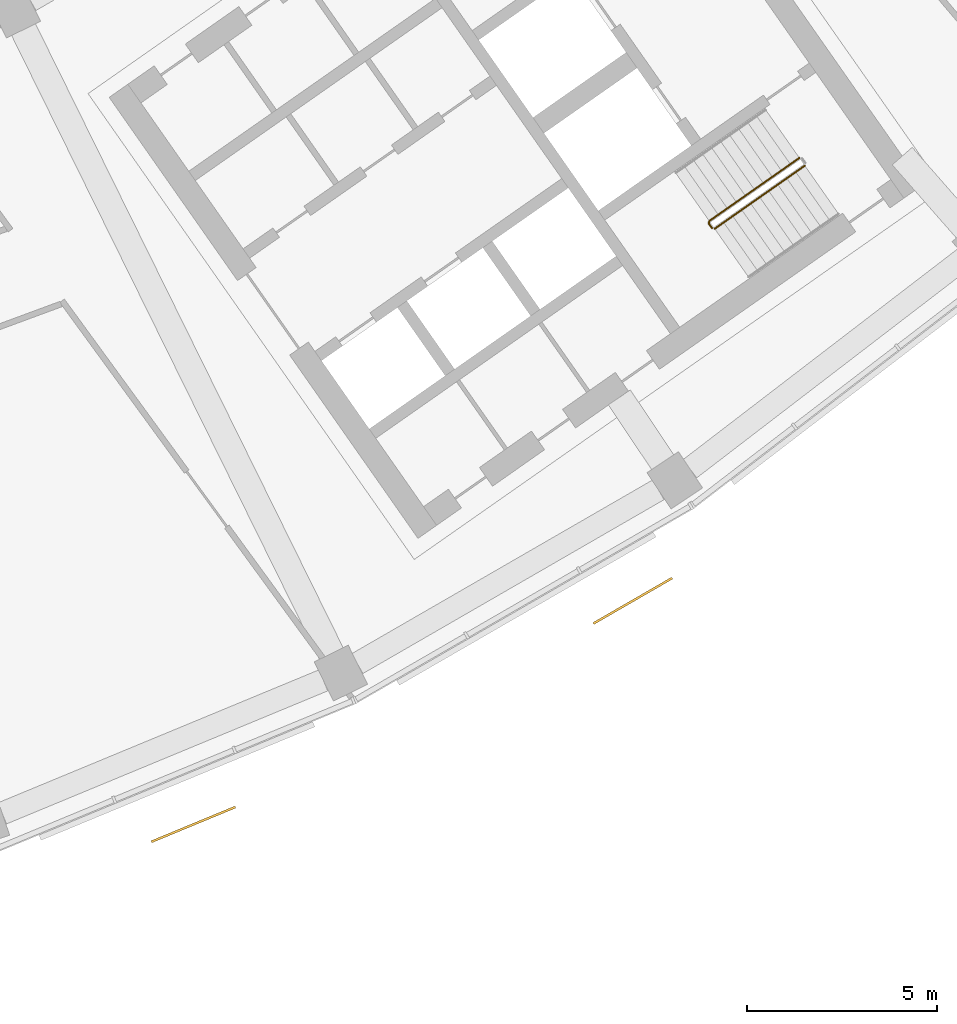
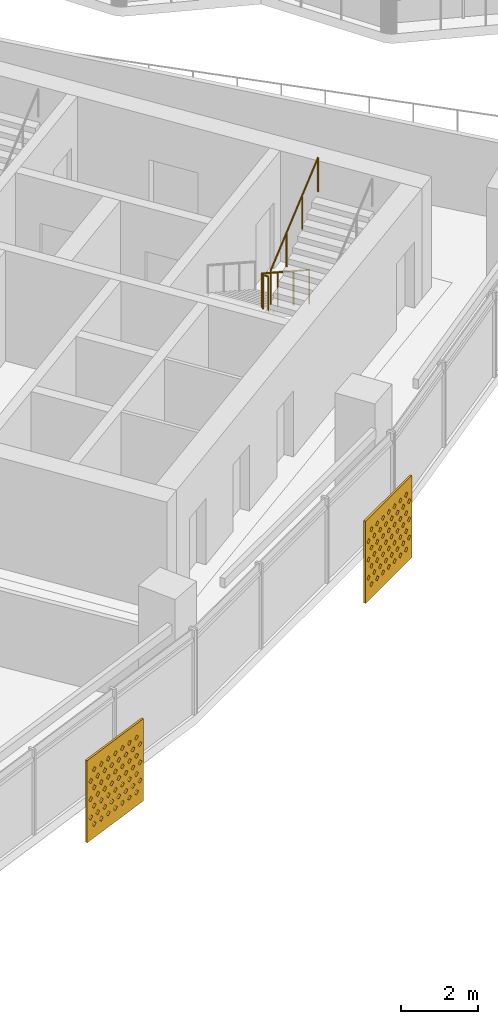
# One storey, part 27 of 29: 2 railings, 2 shading devices.
"""IFC4 building model written with IfcOpenShell, lengths in metres."""

from ifc_helpers import new_model, si_unit, direction, frame, origin, origin_2d, place, context, subcontext, project, spatial, polyline, circle, outline, extrude, material, material_profile, profile_set, type_object, element, save


model = new_model("IFC4")

# Units and contexts
model_context = context("Model", 3, precision=1e-05, world=origin(), true_north=direction((0.0, 1.0)))
body_context = subcontext(model_context, "Body", "Model", "MODEL_VIEW")
ifc_project = project(units=[si_unit("LENGTHUNIT", "METRE"), si_unit("AREAUNIT", "SQUARE_METRE"), si_unit("VOLUMEUNIT", "CUBIC_METRE"), si_unit("PLANEANGLEUNIT", "RADIAN"), si_unit("MASSUNIT", "GRAM", prefix="KILO")], contexts=[model_context])

# Site, building, storey
site_placement = place(None, origin())
site = spatial("IfcSite", under=ifc_project, at=site_placement, CompositionType="ELEMENT")
building_placement = place(site_placement, origin())
building = spatial("IfcBuilding", under=site, at=building_placement, Name="Qamariyya Broadcast Tower", CompositionType="ELEMENT")
storey_placement = place(building_placement, frame((0.0, 0.0, 207.5)))
storey = spatial("IfcBuildingStorey", under=building, at=storey_placement, Name="L49", CompositionType="ELEMENT", Elevation=207.5)

# Shading devices
ifc_material_1 = material(Name="Perforated glazed terracotta", Category="masonry")
ifc_material_profile = material_profile(ifc_material_1, outline(polyline([(-1.199951171875, -1.300048828125), (1.199951171875, -1.300048828125), (1.199951171875, 1.300048828125), (-1.199951171875, 1.300048828125), (-1.199951171875, -1.300048828125)]), holes=[polyline([(-0.81494140625, -0.86669921875), (-0.89990234375, -0.78173828125), (-0.985107421875, -0.86669921875), (-0.89990234375, -0.95166015625), (-0.81494140625, -0.86669921875)]), polyline([(-0.514892578125, -0.86669921875), (-0.60009765625, -0.78173828125), (-0.68505859375, -0.86669921875), (-0.60009765625, -0.95166015625), (-0.514892578125, -0.86669921875)]), polyline([(-0.215087890625, -0.86669921875), (-0.300048828125, -0.78173828125), (-0.385009765625, -0.86669921875), (-0.300048828125, -0.95166015625), (-0.215087890625, -0.86669921875)]), polyline([(0.0849609375, -0.86669921875), (0.0, -0.78173828125), (-0.0849609375, -0.86669921875), (0.0, -0.95166015625), (0.0849609375, -0.86669921875)]), polyline([(0.385009765625, -0.86669921875), (0.300048828125, -0.78173828125), (0.215087890625, -0.86669921875), (0.300048828125, -0.95166015625), (0.385009765625, -0.86669921875)]), polyline([(0.68505859375, -0.86669921875), (0.60009765625, -0.78173828125), (0.514892578125, -0.86669921875), (0.60009765625, -0.95166015625), (0.68505859375, -0.86669921875)]), polyline([(0.985107421875, -0.86669921875), (0.89990234375, -0.78173828125), (0.81494140625, -0.86669921875), (0.89990234375, -0.95166015625), (0.985107421875, -0.86669921875)]), polyline([(-0.965087890625, -0.577880859375), (-1.050048828125, -0.49267578125), (-1.135009765625, -0.577880859375), (-1.050048828125, -0.662841796875), (-0.965087890625, -0.577880859375)]), polyline([(-0.6650390625, -0.577880859375), (-0.75, -0.49267578125), (-0.8349609375, -0.577880859375), (-0.75, -0.662841796875), (-0.6650390625, -0.577880859375)]), polyline([(-0.364990234375, -0.577880859375), (-0.449951171875, -0.49267578125), (-0.534912109375, -0.577880859375), (-0.449951171875, -0.662841796875), (-0.364990234375, -0.577880859375)]), polyline([(-0.06494140625, -0.577880859375), (-0.14990234375, -0.49267578125), (-0.235107421875, -0.577880859375), (-0.14990234375, -0.662841796875), (-0.06494140625, -0.577880859375)]), polyline([(0.235107421875, -0.577880859375), (0.14990234375, -0.49267578125), (0.06494140625, -0.577880859375), (0.14990234375, -0.662841796875), (0.235107421875, -0.577880859375)]), polyline([(0.534912109375, -0.577880859375), (0.449951171875, -0.49267578125), (0.364990234375, -0.577880859375), (0.449951171875, -0.662841796875), (0.534912109375, -0.577880859375)]), polyline([(0.8349609375, -0.577880859375), (0.75, -0.49267578125), (0.6650390625, -0.577880859375), (0.75, -0.662841796875), (0.8349609375, -0.577880859375)]), polyline([(1.135009765625, -0.577880859375), (1.050048828125, -0.49267578125), (0.965087890625, -0.577880859375), (1.050048828125, -0.662841796875), (1.135009765625, -0.577880859375)]), polyline([(-0.81494140625, -0.288818359375), (-0.89990234375, -0.203857421875), (-0.985107421875, -0.288818359375), (-0.89990234375, -0.373779296875), (-0.81494140625, -0.288818359375)]), polyline([(-0.514892578125, -0.288818359375), (-0.60009765625, -0.203857421875), (-0.68505859375, -0.288818359375), (-0.60009765625, -0.373779296875), (-0.514892578125, -0.288818359375)]), polyline([(-0.215087890625, -0.288818359375), (-0.300048828125, -0.203857421875), (-0.385009765625, -0.288818359375), (-0.300048828125, -0.373779296875), (-0.215087890625, -0.288818359375)]), polyline([(0.0849609375, -0.288818359375), (0.0, -0.203857421875), (-0.0849609375, -0.288818359375), (0.0, -0.373779296875), (0.0849609375, -0.288818359375)]), polyline([(0.385009765625, -0.288818359375), (0.300048828125, -0.203857421875), (0.215087890625, -0.288818359375), (0.300048828125, -0.373779296875), (0.385009765625, -0.288818359375)]), polyline([(0.68505859375, -0.288818359375), (0.60009765625, -0.203857421875), (0.514892578125, -0.288818359375), (0.60009765625, -0.373779296875), (0.68505859375, -0.288818359375)]), polyline([(0.985107421875, -0.288818359375), (0.89990234375, -0.203857421875), (0.81494140625, -0.288818359375), (0.89990234375, -0.373779296875), (0.985107421875, -0.288818359375)]), polyline([(-0.965087890625, 0.0), (-1.050048828125, 0.0849609375), (-1.135009765625, 0.0), (-1.050048828125, -0.0849609375), (-0.965087890625, 0.0)]), polyline([(-0.6650390625, 0.0), (-0.75, 0.0849609375), (-0.8349609375, 0.0), (-0.75, -0.0849609375), (-0.6650390625, 0.0)]), polyline([(-0.364990234375, 0.0), (-0.449951171875, 0.0849609375), (-0.534912109375, 0.0), (-0.449951171875, -0.0849609375), (-0.364990234375, 0.0)]), polyline([(-0.06494140625, 0.0), (-0.14990234375, 0.0849609375), (-0.235107421875, 0.0), (-0.14990234375, -0.0849609375), (-0.06494140625, 0.0)]), polyline([(0.235107421875, 0.0), (0.14990234375, 0.0849609375), (0.06494140625, 0.0), (0.14990234375, -0.0849609375), (0.235107421875, 0.0)]), polyline([(0.534912109375, 0.0), (0.449951171875, 0.0849609375), (0.364990234375, 0.0), (0.449951171875, -0.0849609375), (0.534912109375, 0.0)]), polyline([(0.8349609375, 0.0), (0.75, 0.0849609375), (0.6650390625, 0.0), (0.75, -0.0849609375), (0.8349609375, 0.0)]), polyline([(1.135009765625, 0.0), (1.050048828125, 0.0849609375), (0.965087890625, 0.0), (1.050048828125, -0.0849609375), (1.135009765625, 0.0)]), polyline([(-0.81494140625, 0.288818359375), (-0.89990234375, 0.373779296875), (-0.985107421875, 0.288818359375), (-0.89990234375, 0.203857421875), (-0.81494140625, 0.288818359375)]), polyline([(-0.514892578125, 0.288818359375), (-0.60009765625, 0.373779296875), (-0.68505859375, 0.288818359375), (-0.60009765625, 0.203857421875), (-0.514892578125, 0.288818359375)]), polyline([(-0.215087890625, 0.288818359375), (-0.300048828125, 0.373779296875), (-0.385009765625, 0.288818359375), (-0.300048828125, 0.203857421875), (-0.215087890625, 0.288818359375)]), polyline([(0.0849609375, 0.288818359375), (0.0, 0.373779296875), (-0.0849609375, 0.288818359375), (0.0, 0.203857421875), (0.0849609375, 0.288818359375)]), polyline([(0.385009765625, 0.288818359375), (0.300048828125, 0.373779296875), (0.215087890625, 0.288818359375), (0.300048828125, 0.203857421875), (0.385009765625, 0.288818359375)]), polyline([(0.68505859375, 0.288818359375), (0.60009765625, 0.373779296875), (0.514892578125, 0.288818359375), (0.60009765625, 0.203857421875), (0.68505859375, 0.288818359375)]), polyline([(0.985107421875, 0.288818359375), (0.89990234375, 0.373779296875), (0.81494140625, 0.288818359375), (0.89990234375, 0.203857421875), (0.985107421875, 0.288818359375)]), polyline([(-0.965087890625, 0.577880859375), (-1.050048828125, 0.662841796875), (-1.135009765625, 0.577880859375), (-1.050048828125, 0.49267578125), (-0.965087890625, 0.577880859375)]), polyline([(-0.6650390625, 0.577880859375), (-0.75, 0.662841796875), (-0.8349609375, 0.577880859375), (-0.75, 0.49267578125), (-0.6650390625, 0.577880859375)]), polyline([(-0.364990234375, 0.577880859375), (-0.449951171875, 0.662841796875), (-0.534912109375, 0.577880859375), (-0.449951171875, 0.49267578125), (-0.364990234375, 0.577880859375)]), polyline([(-0.06494140625, 0.577880859375), (-0.14990234375, 0.662841796875), (-0.235107421875, 0.577880859375), (-0.14990234375, 0.49267578125), (-0.06494140625, 0.577880859375)]), polyline([(0.235107421875, 0.577880859375), (0.14990234375, 0.662841796875), (0.06494140625, 0.577880859375), (0.14990234375, 0.49267578125), (0.235107421875, 0.577880859375)]), polyline([(0.534912109375, 0.577880859375), (0.449951171875, 0.662841796875), (0.364990234375, 0.577880859375), (0.449951171875, 0.49267578125), (0.534912109375, 0.577880859375)]), polyline([(0.8349609375, 0.577880859375), (0.75, 0.662841796875), (0.6650390625, 0.577880859375), (0.75, 0.49267578125), (0.8349609375, 0.577880859375)]), polyline([(1.135009765625, 0.577880859375), (1.050048828125, 0.662841796875), (0.965087890625, 0.577880859375), (1.050048828125, 0.49267578125), (1.135009765625, 0.577880859375)]), polyline([(-0.81494140625, 0.86669921875), (-0.89990234375, 0.95166015625), (-0.985107421875, 0.86669921875), (-0.89990234375, 0.78173828125), (-0.81494140625, 0.86669921875)]), polyline([(-0.514892578125, 0.86669921875), (-0.60009765625, 0.95166015625), (-0.68505859375, 0.86669921875), (-0.60009765625, 0.78173828125), (-0.514892578125, 0.86669921875)]), polyline([(-0.215087890625, 0.86669921875), (-0.300048828125, 0.95166015625), (-0.385009765625, 0.86669921875), (-0.300048828125, 0.78173828125), (-0.215087890625, 0.86669921875)]), polyline([(0.0849609375, 0.86669921875), (0.0, 0.95166015625), (-0.0849609375, 0.86669921875), (0.0, 0.78173828125), (0.0849609375, 0.86669921875)]), polyline([(0.385009765625, 0.86669921875), (0.300048828125, 0.95166015625), (0.215087890625, 0.86669921875), (0.300048828125, 0.78173828125), (0.385009765625, 0.86669921875)]), polyline([(0.68505859375, 0.86669921875), (0.60009765625, 0.95166015625), (0.514892578125, 0.86669921875), (0.60009765625, 0.78173828125), (0.68505859375, 0.86669921875)]), polyline([(0.985107421875, 0.86669921875), (0.89990234375, 0.95166015625), (0.81494140625, 0.86669921875), (0.89990234375, 0.78173828125), (0.985107421875, 0.86669921875)])]))
ifc_profile_set = profile_set([ifc_material_profile], Name="Perforated glazed terracotta")
shading_device_type = type_object("IfcShadingDeviceType", Name="Perforated terracotta screen 2400 x 2600", PredefinedType="USERDEFINED", material=ifc_profile_set)
shading_device_1_placement = place(storey_placement, frame((30.486328125, -73.694580078125, 1.35009765625), z_axis=(0.382591441855, -0.923917630863, 0.0), x_axis=(0.923917630863, 0.382591441855, 0.0)))
element("IfcShadingDevice", 1, at=shading_device_1_placement, inside=storey, type_object=shading_device_type, Name="e-scr-L49-11-1", ObjectType="SCREEN", PredefinedType="USERDEFINED", context=body_context, shape_type="SweptSolid", body=[
    extrude(outline(polyline([(-1.199951171875, -1.300048828125), (1.199951171875, -1.300048828125), (1.199951171875, 1.300048828125), (-1.199951171875, 1.300048828125), (-1.199951171875, -1.300048828125)]), holes=[polyline([(-0.81494140625, -0.86669921875), (-0.89990234375, -0.78173828125), (-0.985107421875, -0.86669921875), (-0.89990234375, -0.95166015625), (-0.81494140625, -0.86669921875)]), polyline([(-0.514892578125, -0.86669921875), (-0.60009765625, -0.78173828125), (-0.68505859375, -0.86669921875), (-0.60009765625, -0.95166015625), (-0.514892578125, -0.86669921875)]), polyline([(-0.215087890625, -0.86669921875), (-0.300048828125, -0.78173828125), (-0.385009765625, -0.86669921875), (-0.300048828125, -0.95166015625), (-0.215087890625, -0.86669921875)]), polyline([(0.0849609375, -0.86669921875), (0.0, -0.78173828125), (-0.0849609375, -0.86669921875), (0.0, -0.95166015625), (0.0849609375, -0.86669921875)]), polyline([(0.385009765625, -0.86669921875), (0.300048828125, -0.78173828125), (0.215087890625, -0.86669921875), (0.300048828125, -0.95166015625), (0.385009765625, -0.86669921875)]), polyline([(0.68505859375, -0.86669921875), (0.60009765625, -0.78173828125), (0.514892578125, -0.86669921875), (0.60009765625, -0.95166015625), (0.68505859375, -0.86669921875)]), polyline([(0.985107421875, -0.86669921875), (0.89990234375, -0.78173828125), (0.81494140625, -0.86669921875), (0.89990234375, -0.95166015625), (0.985107421875, -0.86669921875)]), polyline([(-0.965087890625, -0.577880859375), (-1.050048828125, -0.49267578125), (-1.135009765625, -0.577880859375), (-1.050048828125, -0.662841796875), (-0.965087890625, -0.577880859375)]), polyline([(-0.6650390625, -0.577880859375), (-0.75, -0.49267578125), (-0.8349609375, -0.577880859375), (-0.75, -0.662841796875), (-0.6650390625, -0.577880859375)]), polyline([(-0.364990234375, -0.577880859375), (-0.449951171875, -0.49267578125), (-0.534912109375, -0.577880859375), (-0.449951171875, -0.662841796875), (-0.364990234375, -0.577880859375)]), polyline([(-0.06494140625, -0.577880859375), (-0.14990234375, -0.49267578125), (-0.235107421875, -0.577880859375), (-0.14990234375, -0.662841796875), (-0.06494140625, -0.577880859375)]), polyline([(0.235107421875, -0.577880859375), (0.14990234375, -0.49267578125), (0.06494140625, -0.577880859375), (0.14990234375, -0.662841796875), (0.235107421875, -0.577880859375)]), polyline([(0.534912109375, -0.577880859375), (0.449951171875, -0.49267578125), (0.364990234375, -0.577880859375), (0.449951171875, -0.662841796875), (0.534912109375, -0.577880859375)]), polyline([(0.8349609375, -0.577880859375), (0.75, -0.49267578125), (0.6650390625, -0.577880859375), (0.75, -0.662841796875), (0.8349609375, -0.577880859375)]), polyline([(1.135009765625, -0.577880859375), (1.050048828125, -0.49267578125), (0.965087890625, -0.577880859375), (1.050048828125, -0.662841796875), (1.135009765625, -0.577880859375)]), polyline([(-0.81494140625, -0.288818359375), (-0.89990234375, -0.203857421875), (-0.985107421875, -0.288818359375), (-0.89990234375, -0.373779296875), (-0.81494140625, -0.288818359375)]), polyline([(-0.514892578125, -0.288818359375), (-0.60009765625, -0.203857421875), (-0.68505859375, -0.288818359375), (-0.60009765625, -0.373779296875), (-0.514892578125, -0.288818359375)]), polyline([(-0.215087890625, -0.288818359375), (-0.300048828125, -0.203857421875), (-0.385009765625, -0.288818359375), (-0.300048828125, -0.373779296875), (-0.215087890625, -0.288818359375)]), polyline([(0.0849609375, -0.288818359375), (0.0, -0.203857421875), (-0.0849609375, -0.288818359375), (0.0, -0.373779296875), (0.0849609375, -0.288818359375)]), polyline([(0.385009765625, -0.288818359375), (0.300048828125, -0.203857421875), (0.215087890625, -0.288818359375), (0.300048828125, -0.373779296875), (0.385009765625, -0.288818359375)]), polyline([(0.68505859375, -0.288818359375), (0.60009765625, -0.203857421875), (0.514892578125, -0.288818359375), (0.60009765625, -0.373779296875), (0.68505859375, -0.288818359375)]), polyline([(0.985107421875, -0.288818359375), (0.89990234375, -0.203857421875), (0.81494140625, -0.288818359375), (0.89990234375, -0.373779296875), (0.985107421875, -0.288818359375)]), polyline([(-0.965087890625, 0.0), (-1.050048828125, 0.0849609375), (-1.135009765625, 0.0), (-1.050048828125, -0.0849609375), (-0.965087890625, 0.0)]), polyline([(-0.6650390625, 0.0), (-0.75, 0.0849609375), (-0.8349609375, 0.0), (-0.75, -0.0849609375), (-0.6650390625, 0.0)]), polyline([(-0.364990234375, 0.0), (-0.449951171875, 0.0849609375), (-0.534912109375, 0.0), (-0.449951171875, -0.0849609375), (-0.364990234375, 0.0)]), polyline([(-0.06494140625, 0.0), (-0.14990234375, 0.0849609375), (-0.235107421875, 0.0), (-0.14990234375, -0.0849609375), (-0.06494140625, 0.0)]), polyline([(0.235107421875, 0.0), (0.14990234375, 0.0849609375), (0.06494140625, 0.0), (0.14990234375, -0.0849609375), (0.235107421875, 0.0)]), polyline([(0.534912109375, 0.0), (0.449951171875, 0.0849609375), (0.364990234375, 0.0), (0.449951171875, -0.0849609375), (0.534912109375, 0.0)]), polyline([(0.8349609375, 0.0), (0.75, 0.0849609375), (0.6650390625, 0.0), (0.75, -0.0849609375), (0.8349609375, 0.0)]), polyline([(1.135009765625, 0.0), (1.050048828125, 0.0849609375), (0.965087890625, 0.0), (1.050048828125, -0.0849609375), (1.135009765625, 0.0)]), polyline([(-0.81494140625, 0.288818359375), (-0.89990234375, 0.373779296875), (-0.985107421875, 0.288818359375), (-0.89990234375, 0.203857421875), (-0.81494140625, 0.288818359375)]), polyline([(-0.514892578125, 0.288818359375), (-0.60009765625, 0.373779296875), (-0.68505859375, 0.288818359375), (-0.60009765625, 0.203857421875), (-0.514892578125, 0.288818359375)]), polyline([(-0.215087890625, 0.288818359375), (-0.300048828125, 0.373779296875), (-0.385009765625, 0.288818359375), (-0.300048828125, 0.203857421875), (-0.215087890625, 0.288818359375)]), polyline([(0.0849609375, 0.288818359375), (0.0, 0.373779296875), (-0.0849609375, 0.288818359375), (0.0, 0.203857421875), (0.0849609375, 0.288818359375)]), polyline([(0.385009765625, 0.288818359375), (0.300048828125, 0.373779296875), (0.215087890625, 0.288818359375), (0.300048828125, 0.203857421875), (0.385009765625, 0.288818359375)]), polyline([(0.68505859375, 0.288818359375), (0.60009765625, 0.373779296875), (0.514892578125, 0.288818359375), (0.60009765625, 0.203857421875), (0.68505859375, 0.288818359375)]), polyline([(0.985107421875, 0.288818359375), (0.89990234375, 0.373779296875), (0.81494140625, 0.288818359375), (0.89990234375, 0.203857421875), (0.985107421875, 0.288818359375)]), polyline([(-0.965087890625, 0.577880859375), (-1.050048828125, 0.662841796875), (-1.135009765625, 0.577880859375), (-1.050048828125, 0.49267578125), (-0.965087890625, 0.577880859375)]), polyline([(-0.6650390625, 0.577880859375), (-0.75, 0.662841796875), (-0.8349609375, 0.577880859375), (-0.75, 0.49267578125), (-0.6650390625, 0.577880859375)]), polyline([(-0.364990234375, 0.577880859375), (-0.449951171875, 0.662841796875), (-0.534912109375, 0.577880859375), (-0.449951171875, 0.49267578125), (-0.364990234375, 0.577880859375)]), polyline([(-0.06494140625, 0.577880859375), (-0.14990234375, 0.662841796875), (-0.235107421875, 0.577880859375), (-0.14990234375, 0.49267578125), (-0.06494140625, 0.577880859375)]), polyline([(0.235107421875, 0.577880859375), (0.14990234375, 0.662841796875), (0.06494140625, 0.577880859375), (0.14990234375, 0.49267578125), (0.235107421875, 0.577880859375)]), polyline([(0.534912109375, 0.577880859375), (0.449951171875, 0.662841796875), (0.364990234375, 0.577880859375), (0.449951171875, 0.49267578125), (0.534912109375, 0.577880859375)]), polyline([(0.8349609375, 0.577880859375), (0.75, 0.662841796875), (0.6650390625, 0.577880859375), (0.75, 0.49267578125), (0.8349609375, 0.577880859375)]), polyline([(1.135009765625, 0.577880859375), (1.050048828125, 0.662841796875), (0.965087890625, 0.577880859375), (1.050048828125, 0.49267578125), (1.135009765625, 0.577880859375)]), polyline([(-0.81494140625, 0.86669921875), (-0.89990234375, 0.95166015625), (-0.985107421875, 0.86669921875), (-0.89990234375, 0.78173828125), (-0.81494140625, 0.86669921875)]), polyline([(-0.514892578125, 0.86669921875), (-0.60009765625, 0.95166015625), (-0.68505859375, 0.86669921875), (-0.60009765625, 0.78173828125), (-0.514892578125, 0.86669921875)]), polyline([(-0.215087890625, 0.86669921875), (-0.300048828125, 0.95166015625), (-0.385009765625, 0.86669921875), (-0.300048828125, 0.78173828125), (-0.215087890625, 0.86669921875)]), polyline([(0.0849609375, 0.86669921875), (0.0, 0.95166015625), (-0.0849609375, 0.86669921875), (0.0, 0.78173828125), (0.0849609375, 0.86669921875)]), polyline([(0.385009765625, 0.86669921875), (0.300048828125, 0.95166015625), (0.215087890625, 0.86669921875), (0.300048828125, 0.78173828125), (0.385009765625, 0.86669921875)]), polyline([(0.68505859375, 0.86669921875), (0.60009765625, 0.95166015625), (0.514892578125, 0.86669921875), (0.60009765625, 0.78173828125), (0.68505859375, 0.86669921875)]), polyline([(0.985107421875, 0.86669921875), (0.89990234375, 0.95166015625), (0.81494140625, 0.86669921875), (0.89990234375, 0.78173828125), (0.985107421875, 0.86669921875)])]), origin(), (0.0, 0.0, 1.0), 0.06005859375),
])
shading_device_2_placement = place(storey_placement, frame((42.072021484375, -67.798828125, 1.35009765625), z_axis=(0.500074377092, -0.865982457891, 0.0), x_axis=(0.865982457891, 0.500074377092, 0.0)))
element("IfcShadingDevice", 2, at=shading_device_2_placement, inside=storey, type_object=shading_device_type, Name="e-scr-L49-12-2", ObjectType="SCREEN", PredefinedType="USERDEFINED", context=body_context, shape_type="SweptSolid", body=[
    extrude(outline(polyline([(-1.199951171875, -1.300048828125), (1.199951171875, -1.300048828125), (1.199951171875, 1.300048828125), (-1.199951171875, 1.300048828125), (-1.199951171875, -1.300048828125)]), holes=[polyline([(-0.81494140625, -0.86669921875), (-0.89990234375, -0.78173828125), (-0.985107421875, -0.86669921875), (-0.89990234375, -0.95166015625), (-0.81494140625, -0.86669921875)]), polyline([(-0.514892578125, -0.86669921875), (-0.60009765625, -0.78173828125), (-0.68505859375, -0.86669921875), (-0.60009765625, -0.95166015625), (-0.514892578125, -0.86669921875)]), polyline([(-0.215087890625, -0.86669921875), (-0.300048828125, -0.78173828125), (-0.385009765625, -0.86669921875), (-0.300048828125, -0.95166015625), (-0.215087890625, -0.86669921875)]), polyline([(0.0849609375, -0.86669921875), (0.0, -0.78173828125), (-0.0849609375, -0.86669921875), (0.0, -0.95166015625), (0.0849609375, -0.86669921875)]), polyline([(0.385009765625, -0.86669921875), (0.300048828125, -0.78173828125), (0.215087890625, -0.86669921875), (0.300048828125, -0.95166015625), (0.385009765625, -0.86669921875)]), polyline([(0.68505859375, -0.86669921875), (0.60009765625, -0.78173828125), (0.514892578125, -0.86669921875), (0.60009765625, -0.95166015625), (0.68505859375, -0.86669921875)]), polyline([(0.985107421875, -0.86669921875), (0.89990234375, -0.78173828125), (0.81494140625, -0.86669921875), (0.89990234375, -0.95166015625), (0.985107421875, -0.86669921875)]), polyline([(-0.965087890625, -0.577880859375), (-1.050048828125, -0.49267578125), (-1.135009765625, -0.577880859375), (-1.050048828125, -0.662841796875), (-0.965087890625, -0.577880859375)]), polyline([(-0.6650390625, -0.577880859375), (-0.75, -0.49267578125), (-0.8349609375, -0.577880859375), (-0.75, -0.662841796875), (-0.6650390625, -0.577880859375)]), polyline([(-0.364990234375, -0.577880859375), (-0.449951171875, -0.49267578125), (-0.534912109375, -0.577880859375), (-0.449951171875, -0.662841796875), (-0.364990234375, -0.577880859375)]), polyline([(-0.06494140625, -0.577880859375), (-0.14990234375, -0.49267578125), (-0.235107421875, -0.577880859375), (-0.14990234375, -0.662841796875), (-0.06494140625, -0.577880859375)]), polyline([(0.235107421875, -0.577880859375), (0.14990234375, -0.49267578125), (0.06494140625, -0.577880859375), (0.14990234375, -0.662841796875), (0.235107421875, -0.577880859375)]), polyline([(0.534912109375, -0.577880859375), (0.449951171875, -0.49267578125), (0.364990234375, -0.577880859375), (0.449951171875, -0.662841796875), (0.534912109375, -0.577880859375)]), polyline([(0.8349609375, -0.577880859375), (0.75, -0.49267578125), (0.6650390625, -0.577880859375), (0.75, -0.662841796875), (0.8349609375, -0.577880859375)]), polyline([(1.135009765625, -0.577880859375), (1.050048828125, -0.49267578125), (0.965087890625, -0.577880859375), (1.050048828125, -0.662841796875), (1.135009765625, -0.577880859375)]), polyline([(-0.81494140625, -0.288818359375), (-0.89990234375, -0.203857421875), (-0.985107421875, -0.288818359375), (-0.89990234375, -0.373779296875), (-0.81494140625, -0.288818359375)]), polyline([(-0.514892578125, -0.288818359375), (-0.60009765625, -0.203857421875), (-0.68505859375, -0.288818359375), (-0.60009765625, -0.373779296875), (-0.514892578125, -0.288818359375)]), polyline([(-0.215087890625, -0.288818359375), (-0.300048828125, -0.203857421875), (-0.385009765625, -0.288818359375), (-0.300048828125, -0.373779296875), (-0.215087890625, -0.288818359375)]), polyline([(0.0849609375, -0.288818359375), (0.0, -0.203857421875), (-0.0849609375, -0.288818359375), (0.0, -0.373779296875), (0.0849609375, -0.288818359375)]), polyline([(0.385009765625, -0.288818359375), (0.300048828125, -0.203857421875), (0.215087890625, -0.288818359375), (0.300048828125, -0.373779296875), (0.385009765625, -0.288818359375)]), polyline([(0.68505859375, -0.288818359375), (0.60009765625, -0.203857421875), (0.514892578125, -0.288818359375), (0.60009765625, -0.373779296875), (0.68505859375, -0.288818359375)]), polyline([(0.985107421875, -0.288818359375), (0.89990234375, -0.203857421875), (0.81494140625, -0.288818359375), (0.89990234375, -0.373779296875), (0.985107421875, -0.288818359375)]), polyline([(-0.965087890625, 0.0), (-1.050048828125, 0.0849609375), (-1.135009765625, 0.0), (-1.050048828125, -0.0849609375), (-0.965087890625, 0.0)]), polyline([(-0.6650390625, 0.0), (-0.75, 0.0849609375), (-0.8349609375, 0.0), (-0.75, -0.0849609375), (-0.6650390625, 0.0)]), polyline([(-0.364990234375, 0.0), (-0.449951171875, 0.0849609375), (-0.534912109375, 0.0), (-0.449951171875, -0.0849609375), (-0.364990234375, 0.0)]), polyline([(-0.06494140625, 0.0), (-0.14990234375, 0.0849609375), (-0.235107421875, 0.0), (-0.14990234375, -0.0849609375), (-0.06494140625, 0.0)]), polyline([(0.235107421875, 0.0), (0.14990234375, 0.0849609375), (0.06494140625, 0.0), (0.14990234375, -0.0849609375), (0.235107421875, 0.0)]), polyline([(0.534912109375, 0.0), (0.449951171875, 0.0849609375), (0.364990234375, 0.0), (0.449951171875, -0.0849609375), (0.534912109375, 0.0)]), polyline([(0.8349609375, 0.0), (0.75, 0.0849609375), (0.6650390625, 0.0), (0.75, -0.0849609375), (0.8349609375, 0.0)]), polyline([(1.135009765625, 0.0), (1.050048828125, 0.0849609375), (0.965087890625, 0.0), (1.050048828125, -0.0849609375), (1.135009765625, 0.0)]), polyline([(-0.81494140625, 0.288818359375), (-0.89990234375, 0.373779296875), (-0.985107421875, 0.288818359375), (-0.89990234375, 0.203857421875), (-0.81494140625, 0.288818359375)]), polyline([(-0.514892578125, 0.288818359375), (-0.60009765625, 0.373779296875), (-0.68505859375, 0.288818359375), (-0.60009765625, 0.203857421875), (-0.514892578125, 0.288818359375)]), polyline([(-0.215087890625, 0.288818359375), (-0.300048828125, 0.373779296875), (-0.385009765625, 0.288818359375), (-0.300048828125, 0.203857421875), (-0.215087890625, 0.288818359375)]), polyline([(0.0849609375, 0.288818359375), (0.0, 0.373779296875), (-0.0849609375, 0.288818359375), (0.0, 0.203857421875), (0.0849609375, 0.288818359375)]), polyline([(0.385009765625, 0.288818359375), (0.300048828125, 0.373779296875), (0.215087890625, 0.288818359375), (0.300048828125, 0.203857421875), (0.385009765625, 0.288818359375)]), polyline([(0.68505859375, 0.288818359375), (0.60009765625, 0.373779296875), (0.514892578125, 0.288818359375), (0.60009765625, 0.203857421875), (0.68505859375, 0.288818359375)]), polyline([(0.985107421875, 0.288818359375), (0.89990234375, 0.373779296875), (0.81494140625, 0.288818359375), (0.89990234375, 0.203857421875), (0.985107421875, 0.288818359375)]), polyline([(-0.965087890625, 0.577880859375), (-1.050048828125, 0.662841796875), (-1.135009765625, 0.577880859375), (-1.050048828125, 0.49267578125), (-0.965087890625, 0.577880859375)]), polyline([(-0.6650390625, 0.577880859375), (-0.75, 0.662841796875), (-0.8349609375, 0.577880859375), (-0.75, 0.49267578125), (-0.6650390625, 0.577880859375)]), polyline([(-0.364990234375, 0.577880859375), (-0.449951171875, 0.662841796875), (-0.534912109375, 0.577880859375), (-0.449951171875, 0.49267578125), (-0.364990234375, 0.577880859375)]), polyline([(-0.06494140625, 0.577880859375), (-0.14990234375, 0.662841796875), (-0.235107421875, 0.577880859375), (-0.14990234375, 0.49267578125), (-0.06494140625, 0.577880859375)]), polyline([(0.235107421875, 0.577880859375), (0.14990234375, 0.662841796875), (0.06494140625, 0.577880859375), (0.14990234375, 0.49267578125), (0.235107421875, 0.577880859375)]), polyline([(0.534912109375, 0.577880859375), (0.449951171875, 0.662841796875), (0.364990234375, 0.577880859375), (0.449951171875, 0.49267578125), (0.534912109375, 0.577880859375)]), polyline([(0.8349609375, 0.577880859375), (0.75, 0.662841796875), (0.6650390625, 0.577880859375), (0.75, 0.49267578125), (0.8349609375, 0.577880859375)]), polyline([(1.135009765625, 0.577880859375), (1.050048828125, 0.662841796875), (0.965087890625, 0.577880859375), (1.050048828125, 0.49267578125), (1.135009765625, 0.577880859375)]), polyline([(-0.81494140625, 0.86669921875), (-0.89990234375, 0.95166015625), (-0.985107421875, 0.86669921875), (-0.89990234375, 0.78173828125), (-0.81494140625, 0.86669921875)]), polyline([(-0.514892578125, 0.86669921875), (-0.60009765625, 0.95166015625), (-0.68505859375, 0.86669921875), (-0.60009765625, 0.78173828125), (-0.514892578125, 0.86669921875)]), polyline([(-0.215087890625, 0.86669921875), (-0.300048828125, 0.95166015625), (-0.385009765625, 0.86669921875), (-0.300048828125, 0.78173828125), (-0.215087890625, 0.86669921875)]), polyline([(0.0849609375, 0.86669921875), (0.0, 0.95166015625), (-0.0849609375, 0.86669921875), (0.0, 0.78173828125), (0.0849609375, 0.86669921875)]), polyline([(0.385009765625, 0.86669921875), (0.300048828125, 0.95166015625), (0.215087890625, 0.86669921875), (0.300048828125, 0.78173828125), (0.385009765625, 0.86669921875)]), polyline([(0.68505859375, 0.86669921875), (0.60009765625, 0.95166015625), (0.514892578125, 0.86669921875), (0.60009765625, 0.78173828125), (0.68505859375, 0.86669921875)]), polyline([(0.985107421875, 0.86669921875), (0.89990234375, 0.95166015625), (0.81494140625, 0.86669921875), (0.89990234375, 0.78173828125), (0.985107421875, 0.86669921875)])]), origin(), (0.0, 0.0, 1.0), 0.06005859375),
])

# Railings
ifc_material_2 = material(Name="Painted steel", Category="steel")
railing_type = type_object("IfcRailingType", Name="Stair guard", PredefinedType="GUARDRAIL", material=ifc_material_2)
railing_1_placement = place(storey_placement, frame((46.48095703125, -56.14306640625, 0.172607421875)))
element("IfcRailing", 3, at=railing_1_placement, inside=storey, type_object=railing_type, Name="L49 ST-E1 stair guard 1", PredefinedType="GUARDRAIL", context=body_context, shape_type="SweptSolid", body=[
    extrude(circle(Radius=0.02392578125, at=origin_2d()), frame((0.0, 0.0, 1.076171875), z_axis=(-0.703770094002, -0.492783725636, 0.511734163933), x_axis=(0.573575343427, -0.819152809562, 0.0)), (0.0, 0.0, 1.0), 3.37548828125),
    extrude(circle(Radius=0.02392578125, at=origin_2d()), frame((-2.37548828125, -1.663330078125, 2.80322265625), z_axis=(-0.176149252506, -0.984363469884, 0.0), x_axis=(0.984363469884, -0.176149252506, 0.0)), (0.0, 0.0, 1.0), 0.07080078125),
    extrude(circle(Radius=0.02392578125, at=origin_2d()), frame((-2.387939453125, -1.73291015625, 2.80322265625), z_axis=(0.574444878118, -0.818543268254, 0.0), x_axis=(0.818543268254, 0.574444878118, 0.0)), (0.0, 0.0, 1.0), 0.150146484375),
    extrude(circle(Radius=0.02099609375, at=origin_2d()), origin(), (0.0, 0.0, 1.0), 1.052001953125),
    extrude(circle(Radius=0.02099609375, at=origin_2d()), frame((-0.791748046875, -0.554443359375, 0.57568359375)), (0.0, 0.0, 1.0), 1.052001953125),
    extrude(circle(Radius=0.02099609375, at=origin_2d()), frame((-1.583740234375, -1.10888671875, 1.151611328125)), (0.0, 0.0, 1.0), 1.052001953125),
    extrude(circle(Radius=0.02099609375, at=origin_2d()), frame((-2.37548828125, -1.663330078125, 1.727294921875)), (0.0, 0.0, 1.0), 1.052001953125),
    extrude(circle(Radius=0.02099609375, at=origin_2d()), frame((-2.387939453125, -1.73291015625, 1.727294921875)), (0.0, 0.0, 1.0), 1.052001953125),
    extrude(circle(Radius=0.02099609375, at=origin_2d()), frame((-2.3017578125, -1.855712890625, 1.727294921875)), (0.0, 0.0, 1.0), 1.052001953125),
])
railing_2_placement = place(storey_placement, frame((44.248779296875, -58.01123046875, 2.07275390625)))
element("IfcRailing", 4, at=railing_2_placement, inside=storey, type_object=railing_type, Name="L49 ST-E1 stair guard 2", PredefinedType="GUARDRAIL", context=body_context, shape_type="SweptSolid", body=[
    extrude(circle(Radius=0.02392578125, at=origin_2d()), frame((0.0, 0.0, 1.076171875), z_axis=(0.703745009021, 0.492838488332, 0.511715923826), x_axis=(-0.573631830683, 0.819113253969, 0.0)), (0.0, 0.0, 1.0), 3.37548828125),
    extrude(circle(Radius=0.02099609375, at=origin_2d()), origin(), (0.0, 0.0, 1.0), 1.052001953125),
    extrude(circle(Radius=0.02099609375, at=origin_2d()), frame((0.791748046875, 0.554443359375, 0.57568359375)), (0.0, 0.0, 1.0), 1.052001953125),
    extrude(circle(Radius=0.02099609375, at=origin_2d()), frame((1.583740234375, 1.109130859375, 1.151611328125)), (0.0, 0.0, 1.0), 1.052001953125),
    extrude(circle(Radius=0.02099609375, at=origin_2d()), frame((2.37548828125, 1.66357421875, 1.727294921875)), (0.0, 0.0, 1.0), 1.052001953125),
])

save(model, "model.ifc")
